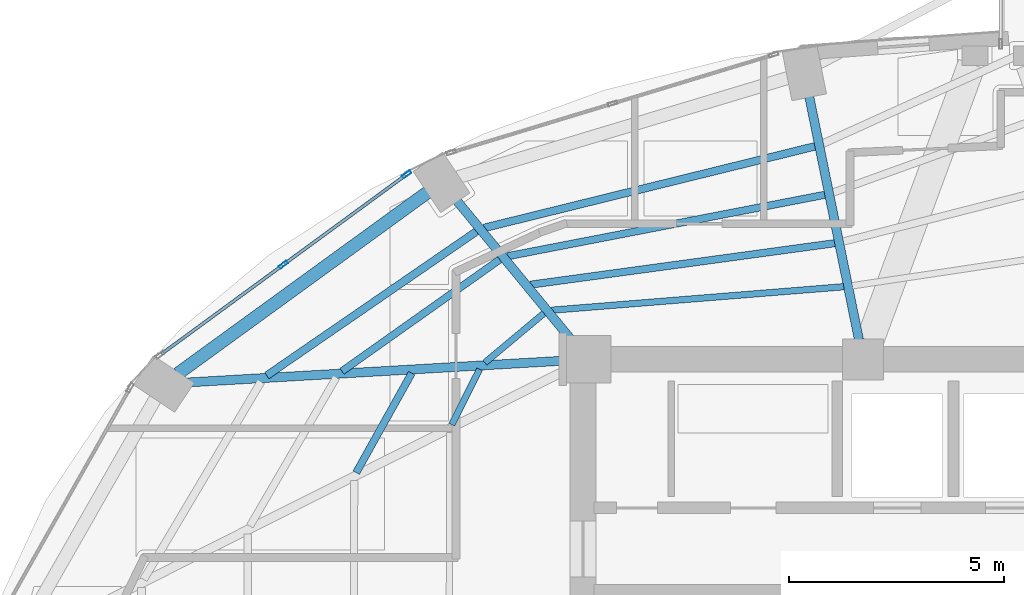
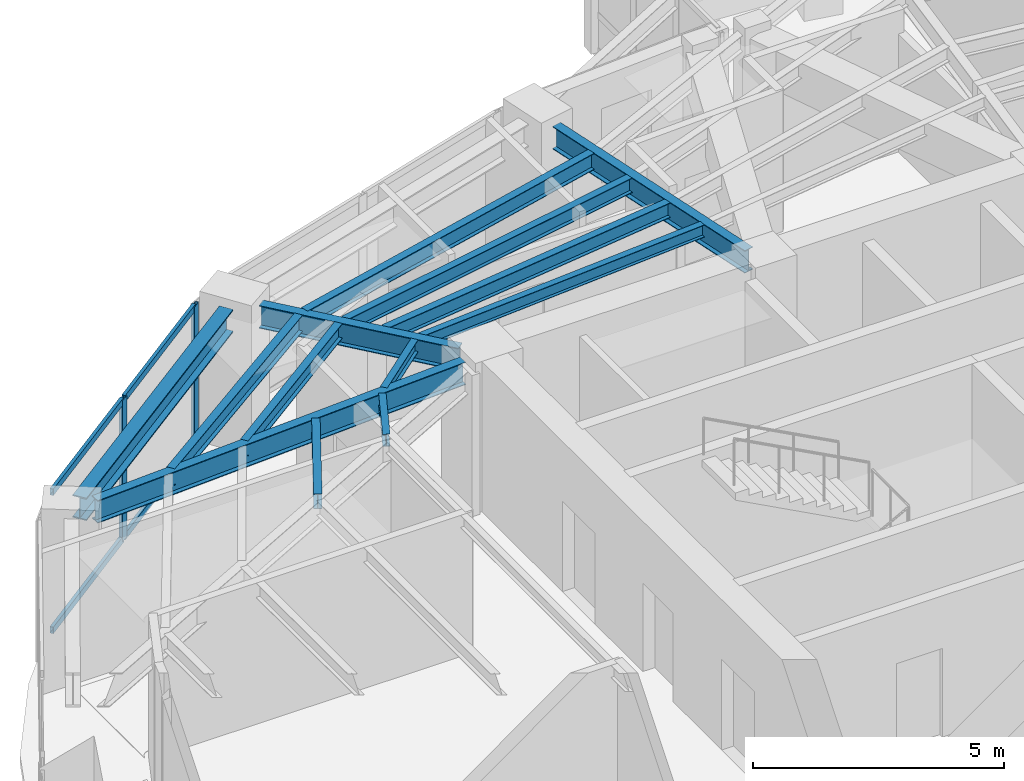
# One storey, part 7 of 20: 13 beams, 6 members, 1 element without a shape of its own.
"""IFC4 building model written with IfcOpenShell, lengths in metres."""

from ifc_helpers import new_model, si_unit, direction, frame, origin, origin_2d, place, context, subcontext, project, spatial, hollow_rectangle, i_section, extrude, material, layer, layer_set, material_profile, profile_set, type_object, element, aggregate, save


model = new_model("IFC4")

# Units and contexts
model_context = context("Model", 3, precision=1e-05, world=origin(), true_north=direction((0.0, 1.0)))
body_context = subcontext(model_context, "Body", "Model", "MODEL_VIEW")
ifc_project = project(units=[si_unit("LENGTHUNIT", "METRE"), si_unit("AREAUNIT", "SQUARE_METRE"), si_unit("VOLUMEUNIT", "CUBIC_METRE"), si_unit("PLANEANGLEUNIT", "RADIAN"), si_unit("MASSUNIT", "GRAM", prefix="KILO")], contexts=[model_context])

# Site, building, storey
site_placement = place(None, origin())
site = spatial("IfcSite", under=ifc_project, at=site_placement, CompositionType="ELEMENT")
building_placement = place(site_placement, origin())
building = spatial("IfcBuilding", under=site, at=building_placement, Name="Lazwardi Medical Tower", CompositionType="ELEMENT")
storey_placement = place(building_placement, frame((0.0, 0.0, 156.528076171875)))
storey = spatial("IfcBuildingStorey", under=building, at=storey_placement, Name="L40", CompositionType="ELEMENT", Elevation=156.528076171875)

# Beams
ifc_material_1 = material(Name="Steel S355", Category="steel")
ifc_material_profile_1 = material_profile(ifc_material_1, i_section(OverallWidth=0.300048828125, OverallDepth=0.550048828125, WebThickness=0.014892578125, FlangeThickness=0.029052734375, at=origin_2d()), Name="HEB 550")
ifc_profile_set_1 = profile_set([ifc_material_profile_1], Name="Steel S355")
beam_type_1 = type_object("IfcBeamType", Name="BM-RB-Z3", PredefinedType="BEAM", material=ifc_profile_set_1)
beam_1_placement = place(storey_placement, frame((22.689697265625, 39.479248046875, 3.15283203125), z_axis=(-0.809127570774, -0.587633026824, 0.0), x_axis=(0.587633026824, -0.809127570774, 0.0)))
element("IfcBeam", 1, at=beam_1_placement, inside=storey, type_object=beam_type_1, Name="Ring beam RB-04 B10 L40", PredefinedType="BEAM", context=body_context, shape_type="SweptSolid", body=[
    extrude(i_section(OverallWidth=0.300048828125, OverallDepth=0.550048828125, WebThickness=0.014892578125, FlangeThickness=0.029052734375, at=origin_2d()), origin(), (0.0, 0.0, 1.0), 7.170166015625),
])
ifc_material_profile_2 = material_profile(ifc_material_1, i_section(OverallWidth=0.2099609375, OverallDepth=0.550048828125, WebThickness=0.010986328125, FlangeThickness=0.01708984375, at=origin_2d()), Name="IPE 550")
ifc_profile_set_2 = profile_set([ifc_material_profile_2], Name="Steel S355")
beam_type_2 = type_object("IfcBeamType", Name="BM-RG-W2", PredefinedType="BEAM", material=ifc_profile_set_2)
beam_2_placement = place(storey_placement, frame((31.552001953125, 41.7001953125, 3.15283203125), z_axis=(0.200429485343, -0.979708130723, 0.0), x_axis=(0.979708130723, 0.200429485343, 0.0)))
element("IfcBeam", 2, at=beam_2_placement, inside=storey, type_object=beam_type_2, Name="Radial girder RG-03 R09 L40", PredefinedType="BEAM", context=body_context, shape_type="SweptSolid", body=[
    extrude(i_section(OverallWidth=0.2099609375, OverallDepth=0.550048828125, WebThickness=0.010986328125, FlangeThickness=0.01708984375, at=origin_2d()), origin(), (0.0, 0.0, 1.0), 5.766357421875),
])
beam_3_placement = place(storey_placement, frame((23.369384765625, 39.28173828125, 3.15283203125), z_axis=(0.635555639966, -0.772055068312, 0.0), x_axis=(0.772055068312, 0.635555639966, 0.0)))
element("IfcBeam", 3, at=beam_3_placement, inside=storey, type_object=beam_type_2, Name="Radial girder RG-03 R10 L40", PredefinedType="BEAM", context=body_context, shape_type="SweptSolid", body=[
    extrude(i_section(OverallWidth=0.2099609375, OverallDepth=0.550048828125, WebThickness=0.010986328125, FlangeThickness=0.01708984375, at=origin_2d()), origin(), (0.0, 0.0, 1.0), 4.233642578125),
])
beam_4_placement = place(storey_placement, frame((17.12353515625, 35.063232421875, 3.15283203125), z_axis=(0.998330154646, 0.057765927014, 0.0), x_axis=(-0.057765927014, 0.998330154646, 0.0)))
element("IfcBeam", 4, at=beam_4_placement, inside=storey, type_object=beam_type_2, Name="Radial girder RG-03 R11 L40", PredefinedType="BEAM", context=body_context, shape_type="SweptSolid", body=[
    extrude(i_section(OverallWidth=0.2099609375, OverallDepth=0.550048828125, WebThickness=0.010986328125, FlangeThickness=0.01708984375, at=origin_2d()), origin(), (0.0, 0.0, 1.0), 8.757080078125),
])
ifc_material_profile_3 = material_profile(ifc_material_1, i_section(OverallWidth=0.179931640625, OverallDepth=0.39990234375, WebThickness=0.008544921875, FlangeThickness=0.013427734375, at=origin_2d()), Name="IPE 400")
ifc_profile_set_3 = profile_set([ifc_material_profile_3], Name="Steel S355")
beam_type_3 = type_object("IfcBeamType", Name="BM-SJ-01", PredefinedType="JOIST", material=ifc_profile_set_3)
beam_5_placement = place(storey_placement, frame((31.68603515625, 40.54638671875, 3.22802734375), z_axis=(-0.970912648168, -0.239433977597, 0.0), x_axis=(0.239433977597, -0.970912648168, 0.0)))
element("IfcBeam", 5, at=beam_5_placement, inside=storey, type_object=beam_type_3, Name="Secondary joist SJ-01 R1 B09 L40", PredefinedType="JOIST", context=body_context, shape_type="SweptSolid", body=[
    extrude(i_section(OverallWidth=0.179931640625, OverallDepth=0.39990234375, WebThickness=0.008544921875, FlangeThickness=0.013427734375, at=origin_2d()), origin(), (0.0, 0.0, 1.0), 7.91162109375),
])
beam_6_placement = place(storey_placement, frame((23.8251953125, 38.5712890625, 3.22802734375), z_axis=(-0.823932256005, -0.566688307198, 0.0), x_axis=(0.566688307198, -0.823932256005, 0.0)))
element("IfcBeam", 6, at=beam_6_placement, inside=storey, type_object=beam_type_3, Name="Secondary joist SJ-01 R1 B10 L40", PredefinedType="JOIST", context=body_context, shape_type="SweptSolid", body=[
    extrude(i_section(OverallWidth=0.179931640625, OverallDepth=0.39990234375, WebThickness=0.008544921875, FlangeThickness=0.013427734375, at=origin_2d()), origin(), (0.0, 0.0, 1.0), 5.91162109375),
])
ifc_material_profile_4 = material_profile(ifc_material_1, i_section(OverallWidth=0.169921875, OverallDepth=0.360107421875, WebThickness=0.008056640625, FlangeThickness=0.0126953125, at=origin_2d()), Name="IPE 360")
ifc_profile_set_4 = profile_set([ifc_material_profile_4], Name="Steel S355")
beam_type_4 = type_object("IfcBeamType", Name="BM-SJ-02", PredefinedType="JOIST", material=ifc_profile_set_4)
beam_7_placement = place(storey_placement, frame((31.916015625, 39.42138671875, 3.247802734375), z_axis=(-0.981753035865, -0.190160396953, 0.0), x_axis=(0.190160396953, -0.981753035865, 0.0)))
element("IfcBeam", 7, at=beam_7_placement, inside=storey, type_object=beam_type_4, Name="Secondary joist SJ-02 R2 B09 L40", PredefinedType="JOIST", context=body_context, shape_type="SweptSolid", body=[
    extrude(i_section(OverallWidth=0.169921875, OverallDepth=0.360107421875, WebThickness=0.008056640625, FlangeThickness=0.0126953125, at=origin_2d()), origin(), (0.0, 0.0, 1.0), 7.50927734375),
])
beam_8_placement = place(storey_placement, frame((24.364013671875, 37.91650390625, 3.247802734375), z_axis=(-0.816108950798, -0.577898070967, 0.0), x_axis=(0.577898070967, -0.816108950798, 0.0)))
element("IfcBeam", 8, at=beam_8_placement, inside=storey, type_object=beam_type_4, Name="Secondary joist SJ-02 R2 B10 L40", PredefinedType="JOIST", context=body_context, shape_type="SweptSolid", body=[
    extrude(i_section(OverallWidth=0.169921875, OverallDepth=0.360107421875, WebThickness=0.008056640625, FlangeThickness=0.0126953125, at=origin_2d()), origin(), (0.0, 0.0, 1.0), 4.487060546875),
])
beam_9_placement = place(storey_placement, frame((32.146484375, 38.297119140625, 3.247802734375), z_axis=(-0.990832043476, -0.135099450852, 0.0), x_axis=(0.135099450852, -0.990832043476, 0.0)))
element("IfcBeam", 9, at=beam_9_placement, inside=storey, type_object=beam_type_4, Name="Secondary joist SJ-02 R3 B09 L40", PredefinedType="JOIST", context=body_context, shape_type="SweptSolid", body=[
    extrude(i_section(OverallWidth=0.169921875, OverallDepth=0.360107421875, WebThickness=0.008056640625, FlangeThickness=0.0126953125, at=origin_2d()), origin(), (0.0, 0.0, 1.0), 7.129150390625),
])
beam_10_placement = place(storey_placement, frame((22.3203125, 35.279296875, 3.247802734375), z_axis=(-0.487099444348, -0.87334651274, 0.0), x_axis=(0.87334651274, -0.487099444348, 0.0)))
element("IfcBeam", 10, at=beam_10_placement, inside=storey, type_object=beam_type_4, Name="Secondary joist SJ-02 R3 B11 L40", PredefinedType="JOIST", context=body_context, shape_type="SweptSolid", body=[
    extrude(i_section(OverallWidth=0.169921875, OverallDepth=0.360107421875, WebThickness=0.008056640625, FlangeThickness=0.0126953125, at=origin_2d()), origin(), (0.0, 0.0, 1.0), 2.64599609375),
])
ifc_material_profile_5 = material_profile(ifc_material_1, i_section(OverallWidth=0.14990234375, OverallDepth=0.300048828125, WebThickness=0.007080078125, FlangeThickness=0.0107421875, at=origin_2d()), Name="IPE 300")
ifc_profile_set_5 = profile_set([ifc_material_profile_5], Name="Steel S355")
beam_type_5 = type_object("IfcBeamType", Name="BM-SJ-03", PredefinedType="JOIST", material=ifc_profile_set_5)
beam_11_placement = place(storey_placement, frame((32.353759765625, 37.28564453125, 3.27783203125), z_axis=(-0.996785792338, -0.08011294647, 0.0), x_axis=(0.08011294647, -0.996785792338, 0.0)))
element("IfcBeam", 11, at=beam_11_placement, inside=storey, type_object=beam_type_5, Name="Secondary joist SJ-03 R4 B09 L40", PredefinedType="JOIST", context=body_context, shape_type="SweptSolid", body=[
    extrude(i_section(OverallWidth=0.14990234375, OverallDepth=0.300048828125, WebThickness=0.007080078125, FlangeThickness=0.0107421875, at=origin_2d()), origin(), (0.0, 0.0, 1.0), 6.80810546875),
])
beam_12_placement = place(storey_placement, frame((25.391357421875, 36.668212890625, 3.27783203125), z_axis=(-0.767437193893, -0.641124132621, 0.0), x_axis=(0.641124132621, -0.767437193893, 0.0)))
element("IfcBeam", 12, at=beam_12_placement, inside=storey, type_object=beam_type_5, Name="Secondary joist SJ-03 R4 B10 L40", PredefinedType="JOIST", context=body_context, shape_type="SweptSolid", body=[
    extrude(i_section(OverallWidth=0.14990234375, OverallDepth=0.300048828125, WebThickness=0.007080078125, FlangeThickness=0.0107421875, at=origin_2d()), origin(), (0.0, 0.0, 1.0), 1.787841796875),
])
beam_13_placement = place(storey_placement, frame((23.8974609375, 35.368408203125, 3.27783203125), z_axis=(-0.450406075332, -0.892823816497, 0.0), x_axis=(0.892823816497, -0.450406075332, 0.0)))
element("IfcBeam", 13, at=beam_13_placement, inside=storey, type_object=beam_type_5, Name="Secondary joist SJ-03 R4 B11 L40", PredefinedType="JOIST", context=body_context, shape_type="SweptSolid", body=[
    extrude(i_section(OverallWidth=0.14990234375, OverallDepth=0.300048828125, WebThickness=0.007080078125, FlangeThickness=0.0107421875, at=origin_2d()), origin(), (0.0, 0.0, 1.0), 1.4365234375),
])

# Curtain wall, members
ifc_material_2 = material(Name="Anodised bronze aluminium and solar control glazing", Category="aluminium")
ifc_layer = layer(ifc_material_2, 0.195068359375)
ifc_layer_set = layer_set([ifc_layer], Name="Anodised bronze aluminium and solar control glazing")
curtain_wall_type = type_object("IfcCurtainWallType", Name="CW-SYS-03", PredefinedType="NOTDEFINED", material=ifc_layer_set)
curtain_wall_placement = place(storey_placement, origin())
curtain_wall = element("IfcCurtainWall", 14, at=curtain_wall_placement, inside=storey, type_object=curtain_wall_type, Name="L40 Unitised bronze curtain wall CW-03", PredefinedType="NOTDEFINED")
ifc_material_3 = material(Name="Anodised bronze aluminium", Category="aluminium")
ifc_material_profile_6 = material_profile(ifc_material_3, hollow_rectangle(XDim=0.074951171875, YDim=0.219970703125, WallThickness=0.00390625, at=origin_2d()), Name="ALU-MULLION 220x75x4")
ifc_profile_set_6 = profile_set([ifc_material_profile_6], Name="Anodised bronze aluminium")
member_type_1 = type_object("IfcMemberType", Name="CW-MUL-01", PredefinedType="MULLION", material=ifc_profile_set_6)
member_1_placement = place(storey_placement, frame((22.204345703125, 39.894775390625, 0.0), z_axis=(0.0, 0.0, 1.0), x_axis=(0.590833862635, -0.806793249082, 0.0)))
member_1 = element("IfcMember", 15, at=member_1_placement, type_object=member_type_1, Name="CW-03 mullion 1", PredefinedType="MULLION", context=body_context, shape_type="SweptSolid", body=[
    extrude(hollow_rectangle(XDim=0.074951171875, YDim=0.219970703125, WallThickness=0.00390625, at=origin_2d()), origin(), (0.0, 0.0, 1.0), 3.427978515625),
])
member_2_placement = place(storey_placement, frame((19.34228515625, 37.798828125, 0.0), z_axis=(0.0, 0.0, 1.0), x_axis=(0.590833862635, -0.806793249082, 0.0)))
member_2 = element("IfcMember", 16, at=member_2_placement, type_object=member_type_1, Name="CW-03 mullion 2", PredefinedType="MULLION", context=body_context, shape_type="SweptSolid", body=[
    extrude(hollow_rectangle(XDim=0.074951171875, YDim=0.219970703125, WallThickness=0.00390625, at=origin_2d()), origin(), (0.0, 0.0, 1.0), 3.427978515625),
])
ifc_material_profile_7 = material_profile(ifc_material_3, hollow_rectangle(XDim=0.074951171875, YDim=0.159912109375, WallThickness=0.00390625, at=origin_2d()), Name="ALU-TRANSOM 160x75x4")
ifc_profile_set_7 = profile_set([ifc_material_profile_7], Name="Anodised bronze aluminium")
member_type_2 = type_object("IfcMemberType", Name="CW-TRN-01", PredefinedType="USERDEFINED", material=ifc_profile_set_7)
member_3_placement = place(storey_placement, frame((22.174072265625, 39.872802734375, 0.037353515625), z_axis=(-0.806773646358, -0.590860629542, 0.0), x_axis=(0.590860629542, -0.806773646358, 0.0)))
member_3 = element("IfcMember", 17, at=member_3_placement, type_object=member_type_2, Name="CW-03 transom 1.1", ObjectType="TRANSOM", PredefinedType="USERDEFINED", context=body_context, shape_type="SweptSolid", body=[
    extrude(hollow_rectangle(XDim=0.074951171875, YDim=0.159912109375, WallThickness=0.00390625, at=origin_2d()), origin(), (0.0, 0.0, 1.0), 3.472412109375),
])
member_4_placement = place(storey_placement, frame((22.174072265625, 39.872802734375, 3.390380859375), z_axis=(-0.806773646358, -0.590860629542, 0.0), x_axis=(0.590860629542, -0.806773646358, 0.0)))
member_4 = element("IfcMember", 18, at=member_4_placement, type_object=member_type_2, Name="CW-03 transom 1.2", ObjectType="TRANSOM", PredefinedType="USERDEFINED", context=body_context, shape_type="SweptSolid", body=[
    extrude(hollow_rectangle(XDim=0.074951171875, YDim=0.159912109375, WallThickness=0.00390625, at=origin_2d()), origin(), (0.0, 0.0, 1.0), 3.472412109375),
])
member_5_placement = place(storey_placement, frame((19.31201171875, 37.77685546875, 0.037353515625), z_axis=(-0.806773646358, -0.590860629542, 0.0), x_axis=(0.590860629542, -0.806773646358, 0.0)))
member_5 = element("IfcMember", 19, at=member_5_placement, type_object=member_type_2, Name="CW-03 transom 2.1", ObjectType="TRANSOM", PredefinedType="USERDEFINED", context=body_context, shape_type="SweptSolid", body=[
    extrude(hollow_rectangle(XDim=0.074951171875, YDim=0.159912109375, WallThickness=0.00390625, at=origin_2d()), origin(), (0.0, 0.0, 1.0), 3.472412109375),
])
member_6_placement = place(storey_placement, frame((19.31201171875, 37.77685546875, 3.390380859375), z_axis=(-0.806773646358, -0.590860629542, 0.0), x_axis=(0.590860629542, -0.806773646358, 0.0)))
member_6 = element("IfcMember", 20, at=member_6_placement, type_object=member_type_2, Name="CW-03 transom 2.2", ObjectType="TRANSOM", PredefinedType="USERDEFINED", context=body_context, shape_type="SweptSolid", body=[
    extrude(hollow_rectangle(XDim=0.074951171875, YDim=0.159912109375, WallThickness=0.00390625, at=origin_2d()), origin(), (0.0, 0.0, 1.0), 3.472412109375),
])
aggregate(curtain_wall, [member_1, member_2, member_3, member_4, member_5, member_6])

save(model, "model.ifc")
